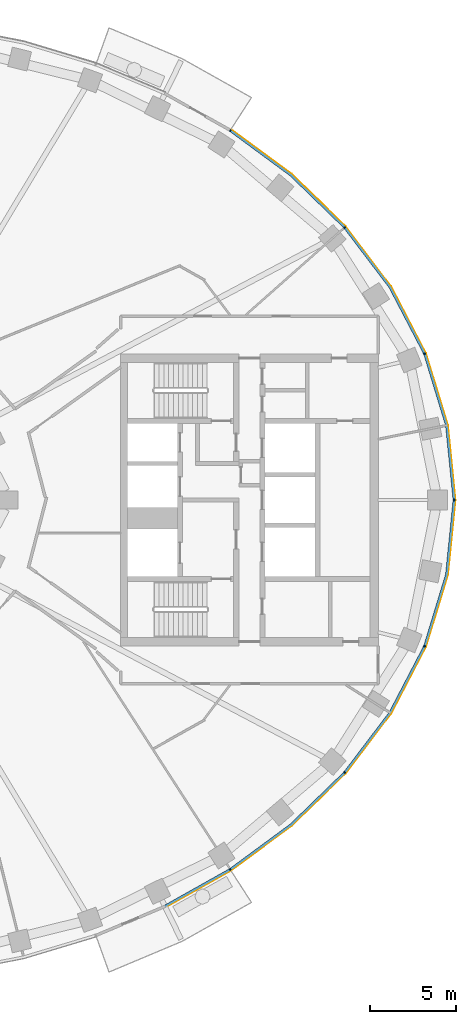
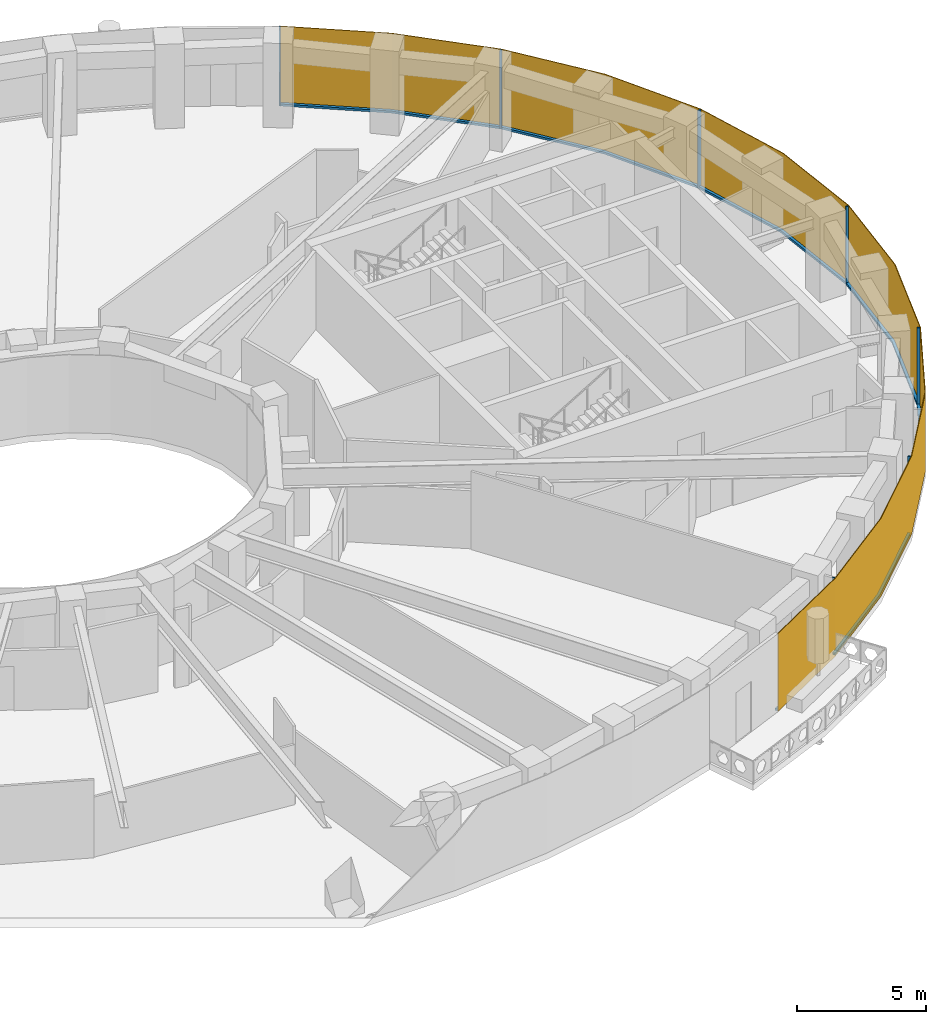
# One storey, part 11 of 15: 14 members, 1 curtain wall.
"""IFC4 building model written with IfcOpenShell, lengths in metres."""

from ifc_helpers import new_model, si_unit, direction, frame, origin, origin_2d, place, context, subcontext, project, spatial, polyline, rectangle, outline, extrude, material, layer, layer_set, material_profile, profile_set, type_object, element, aggregate, save


model = new_model("IFC4")

# Units and contexts
model_context = context("Model", 3, precision=1e-05, world=origin(), true_north=direction((0.0, 1.0)))
body_context = subcontext(model_context, "Body", "Model", "MODEL_VIEW")
ifc_project = project(units=[si_unit("LENGTHUNIT", "METRE"), si_unit("AREAUNIT", "SQUARE_METRE"), si_unit("VOLUMEUNIT", "CUBIC_METRE"), si_unit("PLANEANGLEUNIT", "RADIAN"), si_unit("MASSUNIT", "GRAM", prefix="KILO")], contexts=[model_context])

# Member
ifc_material_1 = material(Name="Aluminium 6063-T6 black anodised", Category="aluminium")
ifc_material_profile = material_profile(ifc_material_1, rectangle(XDim=0.1201171875, YDim=0.06005859375, at=origin_2d()), Name="120x60")
ifc_profile_set = profile_set([ifc_material_profile], Name="Aluminium 6063-T6 black anodised")
member_type_1 = type_object("IfcMemberType", Name="ENV-MULLION-A-120", PredefinedType="MULLION", material=ifc_profile_set)
site_placement = place(None, origin())
building_placement = place(site_placement, origin())
storey_placement = place(building_placement, frame((0.0, 0.0, 182.0)))
member_1_placement = place(storey_placement, frame((22.882568359375, -21.506591796875, 0.0), z_axis=(0.0, 0.0, 1.0), x_axis=(-0.542279153225, 0.840198381323, 0.0)))
member_1 = element("IfcMember", 1, at=member_1_placement, type_object=member_type_1, Name="Mullion A radial 41", PredefinedType="MULLION", context=body_context, shape_type="SweptSolid", body=[
    extrude(rectangle(XDim=0.1201171875, YDim=0.06005859375, at=origin_2d()), origin(), (0.0, 0.0, 1.0), 3.699951171875),
])

member_2_placement = place(storey_placement, frame((29.53857421875, -15.8671875, 0.0), z_axis=(0.0, 0.0, 1.0), x_axis=(-0.749047221705, 0.662516610853, 0.0)))
member_2 = element("IfcMember", 2, at=member_2_placement, type_object=member_type_1, Name="Mullion A radial 43", PredefinedType="MULLION", context=body_context, shape_type="SweptSolid", body=[
    extrude(rectangle(XDim=0.1201171875, YDim=0.06005859375, at=origin_2d()), origin(), (0.0, 0.0, 1.0), 3.699951171875),
])

member_3_placement = place(storey_placement, frame((34.19580078125, -8.513916015625, 0.0), z_axis=(0.0, 0.0, 1.0), x_axis=(-0.92546738067, 0.378827305398, 0.0)))
member_3 = element("IfcMember", 3, at=member_3_placement, type_object=member_type_1, Name="Mullion A radial 45", PredefinedType="MULLION", context=body_context, shape_type="SweptSolid", body=[
    extrude(rectangle(XDim=0.1201171875, YDim=0.06005859375, at=origin_2d()), origin(), (0.0, 0.0, 1.0), 3.699951171875),
])

member_4_placement = place(storey_placement, frame((35.907958984375, 0.0, 0.0), z_axis=(0.0, 0.0, 1.0), x_axis=(-1.0, 0.0, 0.0)))
member_4 = element("IfcMember", 4, at=member_4_placement, type_object=member_type_1, Name="Mullion A radial 01", PredefinedType="MULLION", context=body_context, shape_type="SweptSolid", body=[
    extrude(rectangle(XDim=0.1201171875, YDim=0.06005859375, at=origin_2d()), origin(), (0.0, 0.0, 1.0), 3.699951171875),
])

member_5_placement = place(storey_placement, frame((34.19580078125, 8.513916015625, 0.0), z_axis=(0.0, 0.0, 1.0), x_axis=(-0.92546738067, -0.378827305398, 0.0)))
member_5 = element("IfcMember", 5, at=member_5_placement, type_object=member_type_1, Name="Mullion A radial 03", PredefinedType="MULLION", context=body_context, shape_type="SweptSolid", body=[
    extrude(rectangle(XDim=0.1201171875, YDim=0.06005859375, at=origin_2d()), origin(), (0.0, 0.0, 1.0), 3.699951171875),
])

member_6_placement = place(storey_placement, frame((29.53857421875, 15.8671875, 0.0), z_axis=(0.0, 0.0, 1.0), x_axis=(-0.749047221705, -0.662516610853, 0.0)))
member_6 = element("IfcMember", 6, at=member_6_placement, type_object=member_type_1, Name="Mullion A radial 05", PredefinedType="MULLION", context=body_context, shape_type="SweptSolid", body=[
    extrude(rectangle(XDim=0.1201171875, YDim=0.06005859375, at=origin_2d()), origin(), (0.0, 0.0, 1.0), 3.699951171875),
])

member_7_placement = place(storey_placement, frame((22.882568359375, 21.506591796875, 0.0), z_axis=(0.0, 0.0, 1.0), x_axis=(-0.542279153225, -0.840198381323, 0.0)))
member_7 = element("IfcMember", 7, at=member_7_placement, type_object=member_type_1, Name="Mullion A radial 07", PredefinedType="MULLION", context=body_context, shape_type="SweptSolid", body=[
    extrude(rectangle(XDim=0.1201171875, YDim=0.06005859375, at=origin_2d()), origin(), (0.0, 0.0, 1.0), 3.699951171875),
])

ifc_material_2 = material(Name="Aluminium 6063-T6 black anodised", Category="aluminium")
member_type_2 = type_object("IfcMemberType", Name="ENV-TRANSOM-A", PredefinedType="USERDEFINED", material=ifc_material_2)
member_8_placement = place(storey_placement, origin())
member_8 = element("IfcMember", 8, at=member_8_placement, type_object=member_type_2, Name="Transom A radial 40-41", ObjectType="TRANSOM", PredefinedType="USERDEFINED", context=body_context, shape_type="SweptSolid", body=[
    extrude(outline(polyline([(19.111572265625, -23.691650390625), (22.890625, -21.570556640625), (22.825439453125, -21.469482421875), (19.058837890625, -23.58349609375), (19.111572265625, -23.691650390625)])), origin(), (0.0, 0.0, 1.0), 0.10009765625),
])

member_9_placement = place(storey_placement, origin())
member_9 = element("IfcMember", 9, at=member_9_placement, type_object=member_type_2, Name="Transom A radial 41-43", ObjectType="TRANSOM", PredefinedType="USERDEFINED", context=body_context, shape_type="SweptSolid", body=[
    extrude(outline(polyline([(22.937744140625, -21.540283203125), (26.4423828125, -18.958740234375), (29.5634765625, -15.926513671875), (29.473388671875, -15.8466796875), (26.364501953125, -18.866943359375), (22.87255859375, -21.439208984375), (22.937744140625, -21.540283203125)])), origin(), (0.0, 0.0, 1.0), 0.10009765625),
])

member_10_placement = place(storey_placement, origin())
member_10 = element("IfcMember", 10, at=member_10_placement, type_object=member_type_2, Name="Transom A radial 43-45", ObjectType="TRANSOM", PredefinedType="USERDEFINED", context=body_context, shape_type="SweptSolid", body=[
    extrude(outline(polyline([(29.6005859375, -15.884521484375), (32.22802734375, -12.41748046875), (34.23828125, -8.5615234375), (34.126708984375, -8.515869140625), (32.126220703125, -12.35302734375), (29.51025390625, -15.8046875), (29.6005859375, -15.884521484375)])), origin(), (0.0, 0.0, 1.0), 0.10009765625),
])

member_11_placement = place(storey_placement, origin())
member_11 = element("IfcMember", 11, at=member_11_placement, type_object=member_type_2, Name="Transom A radial 45-01", ObjectType="TRANSOM", PredefinedType="USERDEFINED", context=body_context, shape_type="SweptSolid", body=[
    extrude(outline(polyline([(34.259521484375, -8.509765625), (35.529541015625, -4.352294921875), (35.965087890625, -0.02783203125), (35.844482421875, -0.02783203125), (35.411376953125, -4.32861328125), (34.14794921875, -8.464111328125), (34.259521484375, -8.509765625)])), origin(), (0.0, 0.0, 1.0), 0.10009765625),
])

member_12_placement = place(storey_placement, origin())
member_12 = element("IfcMember", 12, at=member_12_placement, type_object=member_type_2, Name="Transom A radial 01-03", ObjectType="TRANSOM", PredefinedType="USERDEFINED", context=body_context, shape_type="SweptSolid", body=[
    extrude(outline(polyline([(35.965087890625, 0.02783203125), (35.529541015625, 4.352294921875), (34.259521484375, 8.509765625), (34.14794921875, 8.464111328125), (35.411376953125, 4.32861328125), (35.844482421875, 0.02783203125), (35.965087890625, 0.02783203125)])), origin(), (0.0, 0.0, 1.0), 0.10009765625),
])

member_13_placement = place(storey_placement, origin())
member_13 = element("IfcMember", 13, at=member_13_placement, type_object=member_type_2, Name="Transom A radial 03-05", ObjectType="TRANSOM", PredefinedType="USERDEFINED", context=body_context, shape_type="SweptSolid", body=[
    extrude(outline(polyline([(34.23828125, 8.5615234375), (32.22802734375, 12.41748046875), (29.6005859375, 15.884521484375), (29.51025390625, 15.8046875), (32.126220703125, 12.35302734375), (34.126708984375, 8.515869140625), (34.23828125, 8.5615234375)])), origin(), (0.0, 0.0, 1.0), 0.10009765625),
])

member_14_placement = place(storey_placement, origin())
member_14 = element("IfcMember", 14, at=member_14_placement, type_object=member_type_2, Name="Transom A radial 05-07", ObjectType="TRANSOM", PredefinedType="USERDEFINED", context=body_context, shape_type="SweptSolid", body=[
    extrude(outline(polyline([(29.5634765625, 15.926513671875), (26.4423828125, 18.958740234375), (22.937744140625, 21.540283203125), (22.87255859375, 21.439208984375), (26.364501953125, 18.866943359375), (29.473388671875, 15.8466796875), (29.5634765625, 15.926513671875)])), origin(), (0.0, 0.0, 1.0), 0.10009765625),
])

# Site, building, storey
site = spatial("IfcSite", under=ifc_project, at=site_placement, CompositionType="ELEMENT")
building = spatial("IfcBuilding", under=site, at=building_placement, Name="Noorbagh Ring Tower", CompositionType="ELEMENT")
storey = spatial("IfcBuildingStorey", under=building, at=storey_placement, Name="L42", CompositionType="ELEMENT", Elevation=182.0)

# Curtain wall
ifc_material_3 = material(Name="Glass dark tinted laminated", Category="glass")
ifc_layer = layer(ifc_material_3, 0.031982421875)
ifc_layer_set = layer_set([ifc_layer], Name="Glass dark tinted laminated")
curtain_wall_type = type_object("IfcCurtainWallType", Name="ENV-CW-A", PredefinedType="NOTDEFINED", material=ifc_layer_set)
curtain_wall_placement = place(storey_placement, origin())
curtain_wall = element("IfcCurtainWall", 15, at=curtain_wall_placement, inside=storey, type_object=curtain_wall_type, Name="Curtain wall A R40", PredefinedType="NOTDEFINED", context=body_context, shape_type="SweptSolid", body=[
    extrude(outline(polyline([(19.125732421875, -23.720458984375), (22.9326171875, -21.583740234375), (26.463134765625, -18.9833984375), (29.607666015625, -15.927978515625), (32.255126953125, -12.434814453125), (34.281005859375, -8.548828125), (35.561279296875, -4.358642578125), (36.0, 0.0), (35.561279296875, 4.358642578125), (34.281005859375, 8.548828125), (32.255126953125, 12.434814453125), (29.607666015625, 15.927978515625), (26.463134765625, 18.9833984375), (22.948486328125, 21.572021484375), (22.931396484375, 21.544921875), (26.4423828125, 18.958740234375), (29.58349609375, 15.906982421875), (32.22802734375, 12.41748046875), (34.251220703125, 8.53662109375), (35.529541015625, 4.352294921875), (35.9677734375, 0.0), (35.529541015625, -4.352294921875), (34.251220703125, -8.53662109375), (32.22802734375, -12.41748046875), (29.58349609375, -15.906982421875), (26.4423828125, -18.958740234375), (22.9150390625, -21.556884765625), (19.111572265625, -23.691650390625), (19.125732421875, -23.720458984375)])), origin(), (0.0, 0.0, 1.0), 3.699951171875),
])

aggregate(curtain_wall, [member_1, member_2, member_3, member_4, member_5, member_6, member_7, member_8, member_9, member_10, member_11, member_12, member_13, member_14])

save(model, "model.ifc")
